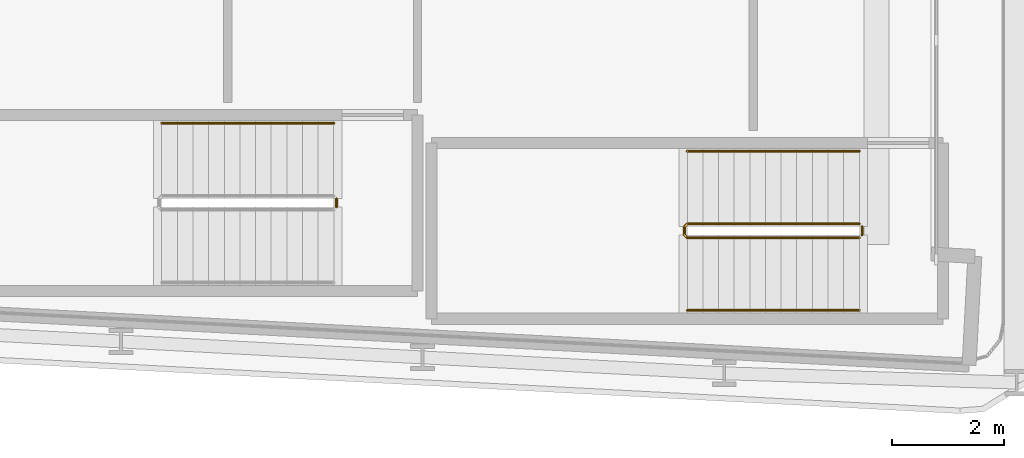
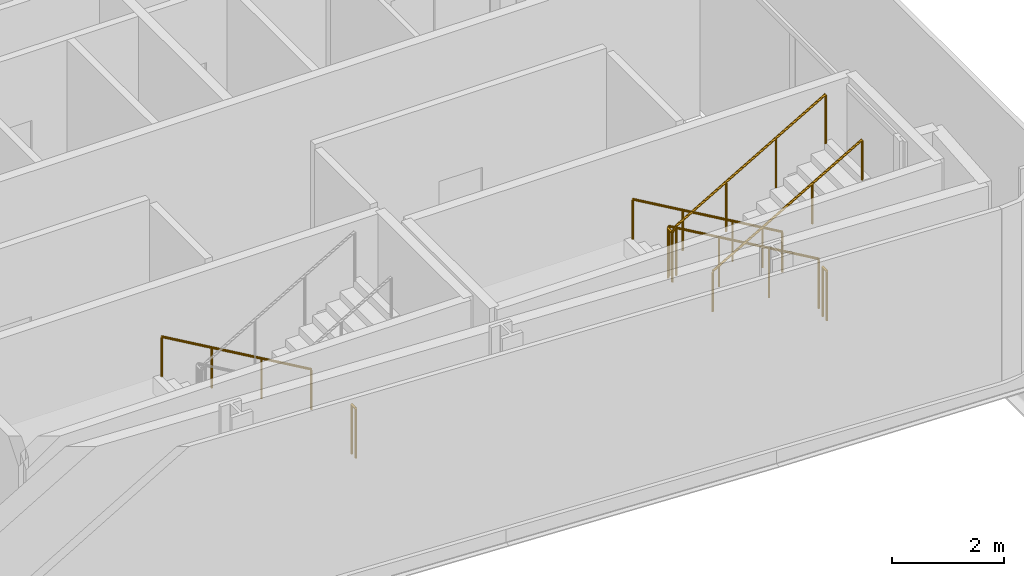
# One storey, part 21 of 24: 6 railings.
"""IFC4 building model written with IfcOpenShell, lengths in metres."""

from ifc_helpers import new_model, si_unit, direction, frame, origin, origin_2d, place, context, subcontext, project, spatial, circle, extrude, material, type_object, element, save


model = new_model("IFC4")

# Units and contexts
model_context = context("Model", 3, precision=1e-05, world=origin(), true_north=direction((0.0, 1.0)))
body_context = subcontext(model_context, "Body", "Model", "MODEL_VIEW")
ifc_project = project(units=[si_unit("LENGTHUNIT", "METRE"), si_unit("AREAUNIT", "SQUARE_METRE"), si_unit("VOLUMEUNIT", "CUBIC_METRE"), si_unit("PLANEANGLEUNIT", "RADIAN"), si_unit("MASSUNIT", "GRAM", prefix="KILO")], contexts=[model_context])

# Site, building, storey
site_placement = place(None, origin())
site = spatial("IfcSite", under=ifc_project, at=site_placement, CompositionType="ELEMENT")
building_placement = place(site_placement, origin())
building = spatial("IfcBuilding", under=site, at=building_placement, Name="Kheshtan School and Residences Tower", CompositionType="ELEMENT")
storey_placement = place(building_placement, frame((0.0, 0.0, 38.300048828125)))
storey = spatial("IfcBuildingStorey", under=building, at=storey_placement, Name="L08", CompositionType="ELEMENT", Elevation=38.300048828125)

# Railings
ifc_material_1 = material(Name="Stainless steel balustrade", Category="steel")
railing_type_1 = type_object("IfcRailingType", Name="Stair guard 1100", PredefinedType="GUARDRAIL", material=ifc_material_1)
railing_1_placement = place(storey_placement, frame((87.820068359375, 23.949951171875, 0.162353515625)))
element("IfcRailing", 1, at=railing_1_placement, inside=storey, type_object=railing_type_1, Name="L08 ST4 stair guard 1", PredefinedType="GUARDRAIL", context=body_context, shape_type="SweptSolid", body=[
    extrude(circle(Radius=0.02392578125, at=origin_2d()), frame((0.0, 0.0, 1.076171875), z_axis=(-0.864890721111, 0.0, 0.501960198159), x_axis=(0.0, -1.0, 0.0)), (0.0, 0.0, 1.0), 3.561279296875),
    extrude(circle(Radius=0.02392578125, at=origin_2d()), frame((-3.080078125, 0.0, 2.86376953125), z_axis=(-0.707106781187, -0.707106781187, 0.0), x_axis=(0.707106781187, -0.707106781187, 0.0)), (0.0, 0.0, 1.0), 0.07080078125),
    extrude(circle(Radius=0.02392578125, at=origin_2d()), frame((-3.130126953125, -0.050048828125, 2.86376953125), z_axis=(0.0, -1.0, 0.0), x_axis=(1.0, 0.0, 0.0)), (0.0, 0.0, 1.0), 0.14990234375),
    extrude(circle(Radius=0.02392578125, at=origin_2d()), frame((-3.130126953125, -0.199951171875, 2.86376953125), z_axis=(0.282227285176, -0.282227285176, 0.916894497205), x_axis=(0.707106781187, 0.707106781187, 0.0)), (0.0, 0.0, 1.0), 0.17724609375),
    extrude(circle(Radius=0.02392578125, at=origin_2d()), frame((-3.080078125, -0.25, 3.0263671875), z_axis=(0.864920483161, 0.0, 0.501908913857), x_axis=(0.0, 1.0, 0.0)), (0.0, 0.0, 1.0), 3.56103515625),
    extrude(circle(Radius=0.02099609375, at=origin_2d()), origin(), (0.0, 0.0, 1.0), 1.052001953125),
    extrude(circle(Radius=0.02099609375, at=origin_2d()), frame((-1.026611328125, 0.0, 0.595947265625)), (0.0, 0.0, 1.0), 1.052001953125),
    extrude(circle(Radius=0.02099609375, at=origin_2d()), frame((-2.053466796875, 0.0, 1.191650390625)), (0.0, 0.0, 1.0), 1.052001953125),
    extrude(circle(Radius=0.02099609375, at=origin_2d()), frame((-3.080078125, 0.0, 1.78759765625)), (0.0, 0.0, 1.0), 1.052001953125),
    extrude(circle(Radius=0.02099609375, at=origin_2d()), frame((-3.130126953125, -0.050048828125, 1.78759765625)), (0.0, 0.0, 1.0), 1.052001953125),
    extrude(circle(Radius=0.02099609375, at=origin_2d()), frame((-3.130126953125, -0.199951171875, 1.78759765625)), (0.0, 0.0, 1.0), 1.052001953125),
    extrude(circle(Radius=0.02099609375, at=origin_2d()), frame((-3.080078125, -0.25, 1.9501953125)), (0.0, 0.0, 1.0), 1.052001953125),
    extrude(circle(Radius=0.02099609375, at=origin_2d()), frame((-2.053466796875, -0.25, 2.5458984375)), (0.0, 0.0, 1.0), 1.052001953125),
    extrude(circle(Radius=0.02099609375, at=origin_2d()), frame((-1.026611328125, -0.25, 3.141845703125)), (0.0, 0.0, 1.0), 1.052001953125),
    extrude(circle(Radius=0.02099609375, at=origin_2d()), frame((0.0, -0.25, 3.737548828125)), (0.0, 0.0, 1.0), 1.052001953125),
])
for number, where, name in (
    (2, (87.8701171875, 23.89990234375, 0.0), "L08 ST4 stair guard 2"),
    (3, (78.4599609375, 24.39990234375, 0.0), "L08 ST5 stair guard 2"),
):
    element("IfcRailing", number, at=place(storey_placement, frame(where)), inside=storey, type_object=railing_type_1, Name=name, PredefinedType="GUARDRAIL", context=body_context, shape_type="SweptSolid", body=[
        extrude(circle(Radius=0.02392578125, at=origin_2d()), frame((0.0, 0.0, 1.076171875), z_axis=(0.0, -1.0, 0.0), x_axis=(1.0, 0.0, 0.0)), (0.0, 0.0, 1.0), 0.14990234375),
        extrude(circle(Radius=0.02099609375, at=origin_2d()), origin(), (0.0, 0.0, 1.0), 1.052001953125),
        extrude(circle(Radius=0.02099609375, at=origin_2d()), frame((0.0, -0.14990234375, 0.0)), (0.0, 0.0, 1.0), 1.052001953125),
    ])
ifc_material_2 = material(Name="Stainless steel handrail", Category="steel")
railing_type_2 = type_object("IfcRailingType", Name="Stair handrail 900", PredefinedType="HANDRAIL", material=ifc_material_2)
railing_2_placement = place(storey_placement, frame((87.820068359375, 25.25, 0.162353515625)))
element("IfcRailing", 4, at=railing_2_placement, inside=storey, type_object=railing_type_2, Name="L08 ST4 stair handrail 1", PredefinedType="HANDRAIL", context=body_context, shape_type="SweptSolid", body=[
    extrude(circle(Radius=0.02392578125, at=origin_2d()), frame((0.0, 0.0, 0.8759765625), z_axis=(-0.864890721111, 0.0, 0.501960198159), x_axis=(0.0, -1.0, 0.0)), (0.0, 0.0, 1.0), 3.561279296875),
    extrude(circle(Radius=0.02099609375, at=origin_2d()), origin(), (0.0, 0.0, 1.0), 0.851806640625),
    extrude(circle(Radius=0.02099609375, at=origin_2d()), frame((-1.026611328125, 0.0, 0.595947265625)), (0.0, 0.0, 1.0), 0.851806640625),
    extrude(circle(Radius=0.02099609375, at=origin_2d()), frame((-2.053466796875, 0.0, 1.191650390625)), (0.0, 0.0, 1.0), 0.851806640625),
    extrude(circle(Radius=0.02099609375, at=origin_2d()), frame((-3.080078125, 0.0, 1.78759765625)), (0.0, 0.0, 1.0), 0.851806640625),
])
railing_3_placement = place(storey_placement, frame((84.739990234375, 22.39990234375, 2.112548828125)))
element("IfcRailing", 5, at=railing_3_placement, inside=storey, type_object=railing_type_2, Name="L08 ST4 stair handrail 2", PredefinedType="HANDRAIL", context=body_context, shape_type="SweptSolid", body=[
    extrude(circle(Radius=0.02392578125, at=origin_2d()), frame((0.0, 0.0, 0.8759765625), z_axis=(0.864920483161, 0.0, 0.501908913857), x_axis=(0.0, 1.0, 0.0)), (0.0, 0.0, 1.0), 3.56103515625),
    extrude(circle(Radius=0.02099609375, at=origin_2d()), origin(), (0.0, 0.0, 1.0), 0.851806640625),
    extrude(circle(Radius=0.02099609375, at=origin_2d()), frame((1.026611328125, 0.0, 0.595703125)), (0.0, 0.0, 1.0), 0.851806640625),
    extrude(circle(Radius=0.02099609375, at=origin_2d()), frame((2.053466796875, 0.0, 1.191650390625)), (0.0, 0.0, 1.0), 0.851806640625),
    extrude(circle(Radius=0.02099609375, at=origin_2d()), frame((3.080078125, 0.0, 1.787353515625)), (0.0, 0.0, 1.0), 0.851806640625),
])
railing_4_placement = place(storey_placement, frame((78.409912109375, 25.75, 0.162353515625)))
element("IfcRailing", 6, at=railing_4_placement, inside=storey, type_object=railing_type_2, Name="L08 ST5 stair handrail 1", PredefinedType="HANDRAIL", context=body_context, shape_type="SweptSolid", body=[
    extrude(circle(Radius=0.02392578125, at=origin_2d()), frame((0.0, 0.0, 0.8759765625), z_axis=(-0.864873446163, 0.0, 0.501989962173), x_axis=(0.0, -1.0, 0.0)), (0.0, 0.0, 1.0), 3.56103515625),
    extrude(circle(Radius=0.02099609375, at=origin_2d()), origin(), (0.0, 0.0, 1.0), 0.851806640625),
    extrude(circle(Radius=0.02099609375, at=origin_2d()), frame((-1.026611328125, 0.0, 0.595947265625)), (0.0, 0.0, 1.0), 0.851806640625),
    extrude(circle(Radius=0.02099609375, at=origin_2d()), frame((-2.05322265625, 0.0, 1.191650390625)), (0.0, 0.0, 1.0), 0.851806640625),
    extrude(circle(Radius=0.02099609375, at=origin_2d()), frame((-3.079833984375, 0.0, 1.78759765625)), (0.0, 0.0, 1.0), 0.851806640625),
])

save(model, "model.ifc")
